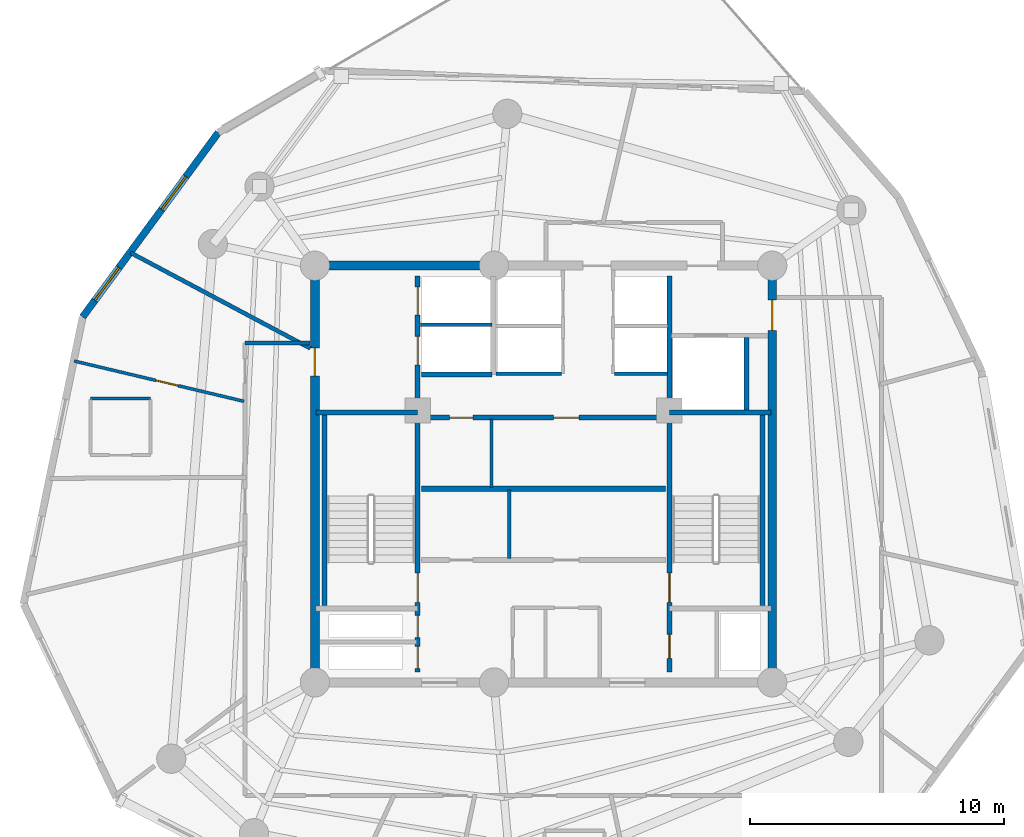
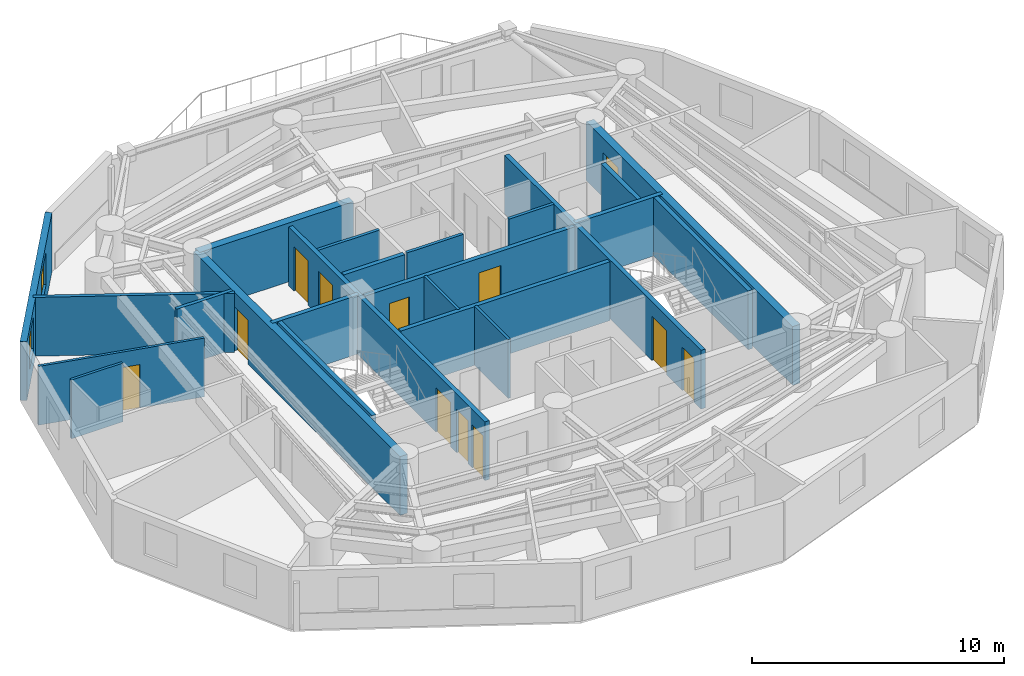
# One storey, part 4 of 8: 23 walls, 12 doors, 2 windows, 14 openings.
"""IFC4 building model written with IfcOpenShell, lengths in metres."""

from ifc_helpers import new_model, si_unit, direction, frame, frame_2d, origin, origin_with_axes, place, context, subcontext, project, spatial, rectangle, extrude, source, transform, mapped, material, layer, layer_set, type_object, element, fill, save


model = new_model("IFC4")

# Units and contexts
model_context = context("Model", 3, precision=1e-05, world=origin(), true_north=direction((0.0, 1.0)))
body_context = subcontext(model_context, "Body", "Model", "MODEL_VIEW")
ifc_project = project(units=[si_unit("LENGTHUNIT", "METRE"), si_unit("AREAUNIT", "SQUARE_METRE"), si_unit("VOLUMEUNIT", "CUBIC_METRE"), si_unit("PLANEANGLEUNIT", "RADIAN"), si_unit("MASSUNIT", "GRAM", prefix="KILO")], contexts=[model_context])

# Site, building, storey
site_placement = place(None, origin())
site = spatial("IfcSite", under=ifc_project, at=site_placement, CompositionType="ELEMENT")
building_placement = place(site_placement, origin())
building = spatial("IfcBuilding", under=site, at=building_placement, Name="Karkom Vertical University and Central Library", CompositionType="ELEMENT")
storey_placement = place(building_placement, frame((0.0, 0.0, 250.449951171875)))
storey = spatial("IfcBuildingStorey", under=building, at=storey_placement, Name="L74", CompositionType="ELEMENT", Elevation=250.449951171875)

# Wall, openings, windows
ifc_material_1 = material(Name="Brick-faced precast concrete C45/55", Category="masonry")
ifc_layer_1 = layer(ifc_material_1, 0.280029296875)
ifc_layer_set_1 = layer_set([ifc_layer_1], Name="Brick-faced precast concrete C45/55")
wall_type_1 = type_object("IfcWallType", Name="ENV-WL-BRK-280", PredefinedType="SOLIDWALL", material=ifc_layer_set_1)
wall_1_placement = place(storey_placement, frame((15.699951171875, 39.941162109375, 0.0), z_axis=(0.0, 0.0, 1.0), x_axis=(-0.592545574552, -0.805536927818, 0.0)))
wall_1 = element("IfcWall", 1, at=wall_1_placement, inside=storey, type_object=wall_type_1, Name="Level 74 Brick-Faced Precast Facade Wall 10", PredefinedType="SOLIDWALL", context=body_context, shape_type="SweptSolid", body=[
    extrude(rectangle(XDim=9.012939453125, YDim=0.280029296875, at=frame_2d((4.50634765625, 0.0))), origin(), (0.0, 0.0, 1.0), 2.85009765625),
])
opening_1_placement = place(wall_1_placement, frame((2.15576171875, 0.0, 0.85009765625)))
opening_1 = element("IfcOpeningElement", 2, at=opening_1_placement, cuts=wall_1, Name="Opening WN-10", PredefinedType="OPENING", context=body_context, shape_type="SweptSolid", body=[
    extrude(rectangle(XDim=1.60009765625, YDim=1.60009765625, at=frame_2d((0.800048828125, 0.800048828125))), frame((0.0, 0.14990234375, 0.0), z_axis=(0.0, -1.0, 0.0), x_axis=(1.0, 0.0, 0.0)), (0.0, 0.0, 1.0), 0.300048828125),
])
opening_2_placement = place(wall_1_placement, frame((6.602294921875, 0.0, 0.85009765625)))
opening_2 = element("IfcOpeningElement", 3, at=opening_2_placement, cuts=wall_1, Name="Opening WN-10", PredefinedType="OPENING", context=body_context, shape_type="SweptSolid", body=[
    extrude(rectangle(XDim=1.60009765625, YDim=1.60009765625, at=frame_2d((0.800048828125, 0.800048828125))), frame((0.0, 0.14990234375, 0.0), z_axis=(0.0, -1.0, 0.0), x_axis=(1.0, 0.0, 0.0)), (0.0, 0.0, 1.0), 0.300048828125),
])
ifc_material_2 = material(Name="Aluminium thermal-break frame with solar-control IGU", Category="aluminium")
window_type = type_object("IfcWindowType", Name="ENV-WIN-WN-10", PartitioningType="SINGLE_PANEL", PredefinedType="WINDOW", material=ifc_material_2)
shared_shape_1 = source(origin_with_axes(), body_context, "Body", "SweptSolid", [
    extrude(rectangle(XDim=1.60009765625, YDim=1.60009765625, at=frame_2d((0.800048828125, 0.800048828125))), frame((0.0, 0.030029296875, 0.0), z_axis=(0.0, -1.0, 0.0), x_axis=(1.0, 0.0, 0.0)), (0.0, 0.0, 1.0), 0.06005859375),
])
window_1_placement = place(opening_1_placement, origin())
window_1 = element("IfcWindow", 4, at=window_1_placement, inside=storey, type_object=window_type, Name="Level 74 Punched Window 10.1", OverallHeight=1.60009765625, OverallWidth=1.60009765625, PartitioningType="SINGLE_PANEL", PredefinedType="WINDOW", context=body_context, shape_type="MappedRepresentation", body=[
    mapped(shared_shape_1, transform((0.0, 0.0, 0.0), scale=1.0)),
])
fill(opening_1, window_1)
window_2_placement = place(opening_2_placement, origin())
window_2 = element("IfcWindow", 5, at=window_2_placement, inside=storey, type_object=window_type, Name="Level 74 Punched Window 10.2", OverallHeight=1.60009765625, OverallWidth=1.60009765625, PartitioningType="SINGLE_PANEL", PredefinedType="WINDOW", context=body_context, shape_type="MappedRepresentation", body=[
    mapped(shared_shape_1, transform((0.0, 0.0, 0.0), scale=1.0)),
])
fill(opening_2, window_2)

# Walls
ifc_material_3 = material(Name="Insulated metal-stud drywall 160mm", Category="gypsum")
ifc_layer_2 = layer(ifc_material_3, 0.159912109375)
ifc_layer_set_2 = layer_set([ifc_layer_2], Name="Insulated metal-stud drywall 160mm")
wall_type_2 = type_object("IfcWallType", Name="INT-WL-COR-160", PredefinedType="PARTITIONING", material=ifc_layer_set_2)
wall_2_placement = place(storey_placement, frame((19.318603515625, 31.44970703125, 0.0), z_axis=(0.0, 0.0, 1.0), x_axis=(-0.882939613172, 0.469486570087, 0.0)))
element("IfcWall", 6, at=wall_2_placement, inside=storey, type_object=wall_type_2, Name="Level 74 Interior Partition Wall L74-PW-012", PredefinedType="PARTITIONING", context=body_context, shape_type="SweptSolid", body=[
    extrude(rectangle(XDim=8.00830078125, YDim=0.159912109375, at=frame_2d((4.004150390625, 0.0))), origin(), (0.0, 0.0, 1.0), 2.85009765625),
])
wall_3_placement = place(storey_placement, frame((16.75, 31.64990234375, 0.0), z_axis=(0.0, 0.0, 1.0), x_axis=(1.0, 0.0, 0.0)))
element("IfcWall", 7, at=wall_3_placement, inside=storey, type_object=wall_type_2, Name="Level 74 Interior Partition Wall L74-CORW-CW-003", PredefinedType="PARTITIONING", context=body_context, shape_type="SweptSolid", body=[
    extrude(rectangle(XDim=2.568115234375, YDim=0.159912109375, at=frame_2d((1.2841796875, 0.0))), origin(), (0.0, 0.0, 1.0), 2.85009765625),
])

# Wall, opening, door
ifc_material_4 = material(Name="Moisture-resistant drywall 120mm", Category="gypsum")
ifc_layer_3 = layer(ifc_material_4, 0.1201171875)
ifc_layer_set_3 = layer_set([ifc_layer_3], Name="Moisture-resistant drywall 120mm")
wall_type_3 = type_object("IfcWallType", Name="INT-WL-INT-120", PredefinedType="PARTITIONING", material=ifc_layer_set_3)
wall_4_placement = place(storey_placement, frame((16.7138671875, 29.36083984375, 0.0), z_axis=(0.0, 0.0, 1.0), x_axis=(-0.972944038436, 0.231040901295, 0.0)))
wall_4 = element("IfcWall", 8, at=wall_4_placement, inside=storey, type_object=wall_type_3, Name="Level 74 Interior Partition Wall L74-APT-11-DIV", PredefinedType="PARTITIONING", context=body_context, shape_type="SweptSolid", body=[
    extrude(rectangle(XDim=6.871826171875, YDim=0.1201171875, at=frame_2d((3.43603515625, 0.0))), origin(), (0.0, 0.0, 1.0), 2.85009765625),
])
opening_3_placement = place(wall_4_placement, frame((2.6708984375, 0.0, 0.0)))
opening_3 = element("IfcOpeningElement", 9, at=opening_3_placement, cuts=wall_4, Name="Opening D-INT1", PredefinedType="OPENING", context=body_context, shape_type="SweptSolid", body=[
    extrude(rectangle(XDim=0.89990234375, YDim=2.10009765625, at=frame_2d((0.449951171875, 1.050048828125))), frame((0.0, 0.070068359375, 0.0), z_axis=(0.0, -1.0, 0.0), x_axis=(1.0, 0.0, 0.0)), (0.0, 0.0, 1.0), 0.14013671875),
])
ifc_material_5 = material(Name="Painted solid-core timber door", Category="wood")
door_type_1 = type_object("IfcDoorType", Name="INT-DR-INT1", OperationType="NOTDEFINED", PredefinedType="DOOR", material=ifc_material_5)
shared_shape_2 = source(origin_with_axes(), body_context, "Body", "SweptSolid", [
    extrude(rectangle(XDim=0.89990234375, YDim=2.10009765625, at=frame_2d((0.449951171875, 1.050048828125))), frame((0.0, 0.02490234375, 0.0), z_axis=(0.0, -1.0, 0.0), x_axis=(1.0, 0.0, 0.0)), (0.0, 0.0, 1.0), 0.050048828125),
])
door_1_placement = place(opening_3_placement, origin())
door_1 = element("IfcDoor", 10, at=door_1_placement, inside=storey, type_object=door_type_1, Name="Level 74 Flat L74-11 Internal Door", OperationType="SINGLE_SWING_LEFT", OverallHeight=2.10009765625, OverallWidth=0.89990234375, PredefinedType="DOOR", context=body_context, shape_type="MappedRepresentation", body=[
    mapped(shared_shape_2, transform((0.0, 0.0, 0.0), scale=1.0)),
])
fill(opening_3, door_1)

# Walls
wall_5_placement = place(storey_placement, frame((27.14990234375, 23.169921875, 0.0), z_axis=(0.0, 0.0, 1.0), x_axis=(0.0, 1.0, 0.0)))
element("IfcWall", 11, at=wall_5_placement, inside=storey, type_object=wall_type_3, Name="Level 74 Interior Partition Wall L74-CW-B1-K2", PredefinedType="PARTITIONING", context=body_context, shape_type="SweptSolid", body=[
    extrude(rectangle(XDim=2.7001953125, YDim=0.1201171875, at=frame_2d((1.35009765625, 0.0))), origin(), (0.0, 0.0, 1.0), 2.85009765625),
])
wall_6_placement = place(storey_placement, frame((26.449951171875, 25.969970703125, 0.0), z_axis=(0.0, 0.0, 1.0), x_axis=(0.0, 1.0, 0.0)))
element("IfcWall", 12, at=wall_6_placement, inside=storey, type_object=wall_type_3, Name="Level 74 Interior Partition Wall L74-CW-B2-K2", PredefinedType="PARTITIONING", context=body_context, shape_type="SweptSolid", body=[
    extrude(rectangle(XDim=2.699951171875, YDim=0.1201171875, at=frame_2d((1.35009765625, 0.0))), origin(), (0.0, 0.0, 1.0), 2.85009765625),
])
ifc_layer_4 = layer(ifc_material_4, 0.1201171875)
ifc_layer_set_4 = layer_set([ifc_layer_4], Name="Moisture-resistant drywall 120mm")
wall_type_4 = type_object("IfcWallType", Name="INT-WL-INT-120F", PredefinedType="PARTITIONING", material=ifc_layer_set_4)
wall_7_placement = place(storey_placement, frame((13.037109375, 29.48095703125, 0.0), z_axis=(0.0, 0.0, 1.0), x_axis=(-1.0, 0.0, 0.0)))
element("IfcWall", 13, at=wall_7_placement, inside=storey, type_object=wall_type_4, Name="Level 74 Interior Partition Wall L74-ENS-50-N", PredefinedType="PARTITIONING", context=body_context, shape_type="SweptSolid", body=[
    extrude(rectangle(XDim=2.360107421875, YDim=0.1201171875, at=frame_2d((1.18017578125, 0.0))), origin(), (0.0, 0.0, 1.0), 2.85009765625),
])
ifc_material_6 = material(Name="Metal-stud gypsum partition 140mm", Category="gypsum")
ifc_layer_5 = layer(ifc_material_6, 0.139892578125)
ifc_layer_set_5 = layer_set([ifc_layer_5], Name="Metal-stud gypsum partition 140mm")
wall_type_5 = type_object("IfcWallType", Name="INT-WL-SUB-140H", PredefinedType="PARTITIONING", material=ifc_layer_set_5)
wall_8_placement = place(storey_placement, frame((26.6201171875, 30.449951171875, 0.0), z_axis=(0.0, 0.0, 1.0), x_axis=(1.0, 0.0, 0.0)))
element("IfcWall", 14, at=wall_8_placement, inside=storey, type_object=wall_type_5, Name="Level 74 Interior Partition Wall L74-CW-PH-S1", PredefinedType="PARTITIONING", context=body_context, shape_type="SweptSolid", body=[
    extrude(rectangle(XDim=2.579833984375, YDim=0.139892578125, at=frame_2d((1.2900390625, 0.0))), origin(), (0.0, 0.0, 1.0), 2.85009765625),
])
wall_9_placement = place(storey_placement, frame((31.300048828125, 30.449951171875, 0.0), z_axis=(0.0, 0.0, 1.0), x_axis=(1.0, 0.0, 0.0)))
element("IfcWall", 15, at=wall_9_placement, inside=storey, type_object=wall_type_5, Name="Level 74 Interior Partition Wall L74-CW-PH-S2", PredefinedType="PARTITIONING", context=body_context, shape_type="SweptSolid", body=[
    extrude(rectangle(XDim=2.074951171875, YDim=0.139892578125, at=frame_2d((1.03759765625, 0.0))), origin(), (0.0, 0.0, 1.0), 2.85009765625),
])
ifc_layer_6 = layer(ifc_material_6, 0.139892578125)
ifc_layer_set_6 = layer_set([ifc_layer_6], Name="Metal-stud gypsum partition 140mm")
wall_type_6 = type_object("IfcWallType", Name="INT-WL-SUB-140X", PredefinedType="PARTITIONING", material=ifc_layer_set_6)
wall_10_placement = place(storey_placement, frame((23.652099609375, 32.3701171875, 0.0), z_axis=(0.0, 0.0, 1.0), x_axis=(1.0, 0.0, 0.0)))
element("IfcWall", 16, at=wall_10_placement, inside=storey, type_object=wall_type_6, Name="Level 74 Interior Partition Wall L74-CW-FFL-M", PredefinedType="PARTITIONING", context=body_context, shape_type="SweptSolid", body=[
    extrude(rectangle(XDim=2.827880859375, YDim=0.139892578125, at=frame_2d((1.4140625, 0.0))), origin(), (0.0, 0.0, 1.0), 2.85009765625),
])

# Wall, opening, door
ifc_material_7 = material(Name="Concrete C45/55", Category="concrete")
ifc_layer_7 = layer(ifc_material_7, 0.35009765625)
ifc_layer_set_7 = layer_set([ifc_layer_7], Name="Concrete C45/55")
wall_type_7 = type_object("IfcWallType", Name="STR-WL-CW-350", PredefinedType="SHEAR", material=ifc_layer_set_7)
wall_11_placement = place(storey_placement, frame((37.5, 18.300048828125, 0.0), z_axis=(0.0, 0.0, 1.0), x_axis=(0.0, 1.0, 0.0)))
wall_11 = element("IfcWall", 17, at=wall_11_placement, inside=storey, type_object=wall_type_7, Name="Level 74 Central Core Shear Wall EW", PredefinedType="SHEAR", context=body_context, shape_type="SweptSolid", body=[
    extrude(rectangle(XDim=16.39990234375, YDim=0.35009765625, at=frame_2d((8.199951171875, 0.0))), origin(), (0.0, 0.0, 1.0), 2.85009765625),
])
opening_4_placement = place(wall_11_placement, frame((13.85009765625, 0.0, 0.0)))
opening_4 = element("IfcOpeningElement", 18, at=opening_4_placement, cuts=wall_11, Name="Opening FD-SUB1", PredefinedType="OPENING", context=body_context, shape_type="SweptSolid", body=[
    extrude(rectangle(XDim=1.199951171875, YDim=2.14990234375, at=frame_2d((0.60009765625, 1.074951171875))), frame((0.0, 0.18505859375, 0.0), z_axis=(0.0, -1.0, 0.0), x_axis=(1.0, 0.0, 0.0)), (0.0, 0.0, 1.0), 0.3701171875),
])
ifc_material_8 = material(Name="Painted steel fire door", Category="steel")
door_type_2 = type_object("IfcDoorType", Name="INT-DR-SUB1", OperationType="NOTDEFINED", PredefinedType="DOOR", material=ifc_material_8)
shared_shape_3 = source(origin_with_axes(), body_context, "Body", "SweptSolid", [
    extrude(rectangle(XDim=1.199951171875, YDim=2.14990234375, at=frame_2d((0.60009765625, 1.074951171875))), frame((0.0, 0.02490234375, 0.0), z_axis=(0.0, -1.0, 0.0), x_axis=(1.0, 0.0, 0.0)), (0.0, 0.0, 1.0), 0.050048828125),
])
door_2_placement = place(opening_4_placement, origin())
door_2 = element("IfcDoor", 19, at=door_2_placement, inside=storey, type_object=door_type_2, Name="Level 74 East Corridor Service Lobby Door", OperationType="SINGLE_SWING_RIGHT", OverallHeight=2.14990234375, OverallWidth=1.199951171875, PredefinedType="DOOR", context=body_context, shape_type="MappedRepresentation", body=[
    mapped(shared_shape_3, transform((0.0, 0.0, 0.0), scale=1.0)),
])
fill(opening_4, door_2)

# Wall
wall_12_placement = place(storey_placement, frame((26.550048828125, 34.699951171875, 0.0), z_axis=(0.0, 0.0, 1.0), x_axis=(-1.0, 0.0, 0.0)))
element("IfcWall", 20, at=wall_12_placement, inside=storey, type_object=wall_type_7, Name="Level 74 Central Core Shear Wall NW2", PredefinedType="SHEAR", context=body_context, shape_type="SweptSolid", body=[
    extrude(rectangle(XDim=7.050048828125, YDim=0.35009765625, at=frame_2d((3.52490234375, 0.0))), origin(), (0.0, 0.0, 1.0), 2.85009765625),
])

# Wall, opening, door
wall_13_placement = place(storey_placement, frame((19.5, 34.699951171875, 0.0), z_axis=(0.0, 0.0, 1.0), x_axis=(0.0, -1.0, 0.0)))
wall_13 = element("IfcWall", 21, at=wall_13_placement, inside=storey, type_object=wall_type_7, Name="Level 74 Central Core Shear Wall WW", PredefinedType="SHEAR", context=body_context, shape_type="SweptSolid", body=[
    extrude(rectangle(XDim=16.39990234375, YDim=0.35009765625, at=frame_2d((8.199951171875, 0.0))), origin(), (0.0, 0.0, 1.0), 2.85009765625),
])
opening_5_placement = place(wall_13_placement, frame((3.239990234375, 0.0, 0.0)))
opening_5 = element("IfcOpeningElement", 22, at=opening_5_placement, cuts=wall_13, Name="Opening FD-FFL", PredefinedType="OPENING", context=body_context, shape_type="SweptSolid", body=[
    extrude(rectangle(XDim=1.10009765625, YDim=2.14990234375, at=frame_2d((0.550048828125, 1.074951171875))), frame((0.0, 0.18505859375, 0.0), z_axis=(0.0, -1.0, 0.0), x_axis=(1.0, 0.0, 0.0)), (0.0, 0.0, 1.0), 0.3701171875),
])
ifc_material_9 = material(Name="Painted steel smoke-seal fire door", Category="steel")
door_type_3 = type_object("IfcDoorType", Name="INT-DR-FFL", OperationType="NOTDEFINED", PredefinedType="DOOR", material=ifc_material_9)
shared_shape_4 = source(origin_with_axes(), body_context, "Body", "SweptSolid", [
    extrude(rectangle(XDim=1.10009765625, YDim=2.14990234375, at=frame_2d((0.550048828125, 1.074951171875))), frame((0.0, 0.02490234375, 0.0), z_axis=(0.0, -1.0, 0.0), x_axis=(1.0, 0.0, 0.0)), (0.0, 0.0, 1.0), 0.050048828125),
])
door_3_placement = place(opening_5_placement, origin())
door_3 = element("IfcDoor", 23, at=door_3_placement, inside=storey, type_object=door_type_3, Name="Level 74 West Corridor Firefighting Lobby Door", OperationType="SINGLE_SWING_LEFT", OverallHeight=2.14990234375, OverallWidth=1.10009765625, PredefinedType="DOOR", context=body_context, shape_type="MappedRepresentation", body=[
    mapped(shared_shape_4, transform((0.0, 0.0, 0.0), scale=1.0)),
])
fill(opening_5, door_3)

# Wall, openings, doors
ifc_layer_8 = layer(ifc_material_7, 0.199951171875)
ifc_layer_set_8 = layer_set([ifc_layer_8], Name="Concrete C45/55")
wall_type_8 = type_object("IfcWallType", Name="STR-WL-ST-200", PredefinedType="SHEAR", material=ifc_layer_set_8)
wall_14_placement = place(storey_placement, frame((23.544921875, 18.699951171875, 0.0), z_axis=(0.0, 0.0, 1.0), x_axis=(0.0, 1.0, 0.0)))
wall_14 = element("IfcWall", 24, at=wall_14_placement, inside=storey, type_object=wall_type_8, Name="Level 74 Core Shaft Wall L74-CW-ST1-E", PredefinedType="SHEAR", context=body_context, shape_type="SweptSolid", body=[
    extrude(rectangle(XDim=15.60009765625, YDim=0.199951171875, at=frame_2d((7.800048828125, 0.0))), origin(), (0.0, 0.0, 1.0), 2.85009765625),
])
opening_6_placement = place(wall_14_placement, frame((2.75, 0.0, 0.0)))
opening_6 = element("IfcOpeningElement", 25, at=opening_6_placement, cuts=wall_14, Name="Opening FD-ST1", PredefinedType="OPENING", context=body_context, shape_type="SweptSolid", body=[
    extrude(rectangle(XDim=1.14990234375, YDim=2.14990234375, at=frame_2d((0.574951171875, 1.074951171875))), frame((0.0, 0.10986328125, 0.0), z_axis=(0.0, -1.0, 0.0), x_axis=(1.0, 0.0, 0.0)), (0.0, 0.0, 1.0), 0.219970703125),
])
opening_7_placement = place(wall_14_placement, frame((0.139892578125, 0.0, 0.0)))
opening_7 = element("IfcOpeningElement", 26, at=opening_7_placement, cuts=wall_14, Name="Opening FD-RIS", PredefinedType="OPENING", context=body_context, shape_type="SweptSolid", body=[
    extrude(rectangle(XDim=0.8798828125, YDim=2.10009765625, at=frame_2d((0.43994140625, 1.050048828125))), frame((0.0, 0.10986328125, 0.0), z_axis=(0.0, -1.0, 0.0), x_axis=(1.0, 0.0, 0.0)), (0.0, 0.0, 1.0), 0.219970703125),
])
opening_8_placement = place(wall_14_placement, frame((1.360107421875, 0.0, 0.0)))
opening_8 = element("IfcOpeningElement", 27, at=opening_8_placement, cuts=wall_14, Name="Opening FD-RIS", PredefinedType="OPENING", context=body_context, shape_type="SweptSolid", body=[
    extrude(rectangle(XDim=0.8798828125, YDim=2.10009765625, at=frame_2d((0.43994140625, 1.050048828125))), frame((0.0, 0.10986328125, 0.0), z_axis=(0.0, -1.0, 0.0), x_axis=(1.0, 0.0, 0.0)), (0.0, 0.0, 1.0), 0.219970703125),
])
opening_9_placement = place(wall_14_placement, frame((12.10009765625, 0.0, 0.0)))
opening_9 = element("IfcOpeningElement", 28, at=opening_9_placement, cuts=wall_14, Name="Opening LD-FFL", PredefinedType="OPENING", context=body_context, shape_type="SweptSolid", body=[
    extrude(rectangle(XDim=1.1201171875, YDim=2.14990234375, at=frame_2d((0.56005859375, 1.074951171875))), frame((0.0, 0.10986328125, 0.0), z_axis=(0.0, -1.0, 0.0), x_axis=(1.0, 0.0, 0.0)), (0.0, 0.0, 1.0), 0.219970703125),
])
opening_10_placement = place(wall_14_placement, frame((14.050048828125, 0.0, 0.0)))
opening_10 = element("IfcOpeningElement", 29, at=opening_10_placement, cuts=wall_14, Name="Opening LD-FFL", PredefinedType="OPENING", context=body_context, shape_type="SweptSolid", body=[
    extrude(rectangle(XDim=1.1201171875, YDim=2.14990234375, at=frame_2d((0.56005859375, 1.074951171875))), frame((0.0, 0.10986328125, 0.0), z_axis=(0.0, -1.0, 0.0), x_axis=(1.0, 0.0, 0.0)), (0.0, 0.0, 1.0), 0.219970703125),
])
ifc_material_10 = material(Name="Painted steel acoustic fire door", Category="steel")
door_type_4 = type_object("IfcDoorType", Name="INT-DR-ST1", OperationType="NOTDEFINED", PredefinedType="DOOR", material=ifc_material_10)
shared_shape_5 = source(origin_with_axes(), body_context, "Body", "SweptSolid", [
    extrude(rectangle(XDim=1.14990234375, YDim=2.14990234375, at=frame_2d((0.574951171875, 1.074951171875))), frame((0.0, 0.02490234375, 0.0), z_axis=(0.0, -1.0, 0.0), x_axis=(1.0, 0.0, 0.0)), (0.0, 0.0, 1.0), 0.050048828125),
])
door_4_placement = place(opening_6_placement, origin())
door_4 = element("IfcDoor", 30, at=door_4_placement, inside=storey, type_object=door_type_4, Name="Level 74 Stair ST-1 Fire Door", OperationType="SINGLE_SWING_LEFT", OverallHeight=2.14990234375, OverallWidth=1.14990234375, PredefinedType="DOOR", context=body_context, shape_type="MappedRepresentation", body=[
    mapped(shared_shape_5, transform((0.0, 0.0, 0.0), scale=1.0)),
])
fill(opening_6, door_4)
ifc_material_11 = material(Name="Painted steel riser access door", Category="steel")
door_type_5 = type_object("IfcDoorType", Name="INT-DR-RIS", OperationType="NOTDEFINED", PredefinedType="DOOR", material=ifc_material_11)
shared_shape_6 = source(origin_with_axes(), body_context, "Body", "SweptSolid", [
    extrude(rectangle(XDim=0.8798828125, YDim=2.10009765625, at=frame_2d((0.43994140625, 1.050048828125))), frame((0.0, 0.02490234375, 0.0), z_axis=(0.0, -1.0, 0.0), x_axis=(1.0, 0.0, 0.0)), (0.0, 0.0, 1.0), 0.050048828125),
])
door_5_placement = place(opening_7_placement, origin())
door_5 = element("IfcDoor", 31, at=door_5_placement, inside=storey, type_object=door_type_5, Name="Level 74 Electrical Riser Access Door", OperationType="SINGLE_SWING_RIGHT", OverallHeight=2.10009765625, OverallWidth=0.8798828125, PredefinedType="DOOR", context=body_context, shape_type="MappedRepresentation", body=[
    mapped(shared_shape_6, transform((0.0, 0.0, 0.0), scale=1.0)),
])
fill(opening_7, door_5)
door_6_placement = place(opening_8_placement, origin())
door_6 = element("IfcDoor", 32, at=door_6_placement, inside=storey, type_object=door_type_5, Name="Level 74 Telecom Riser Access Door", OperationType="SINGLE_SWING_LEFT", OverallHeight=2.10009765625, OverallWidth=0.8798828125, PredefinedType="DOOR", context=body_context, shape_type="MappedRepresentation", body=[
    mapped(shared_shape_6, transform((0.0, 0.0, 0.0), scale=1.0)),
])
fill(opening_8, door_6)
ifc_material_12 = material(Name="Fire-rated stainless-steel landing door", Category="steel")
door_type_6 = type_object("IfcDoorType", Name="INT-DR-LD-FFL", OperationType="SLIDING_TO_LEFT", PredefinedType="DOOR", material=ifc_material_12)
shared_shape_7 = source(origin_with_axes(), body_context, "Body", "SweptSolid", [
    extrude(rectangle(XDim=1.1201171875, YDim=2.14990234375, at=frame_2d((0.56005859375, 1.074951171875))), frame((0.0, 0.02490234375, 0.0), z_axis=(0.0, -1.0, 0.0), x_axis=(1.0, 0.0, 0.0)), (0.0, 0.0, 1.0), 0.050048828125),
])
door_7_placement = place(opening_9_placement, origin())
door_7 = element("IfcDoor", 33, at=door_7_placement, inside=storey, type_object=door_type_6, Name="Level 74 Firefighting Lift FFL-1 Landing Door", OperationType="SLIDING_TO_LEFT", OverallHeight=2.14990234375, OverallWidth=1.1201171875, PredefinedType="DOOR", context=body_context, shape_type="MappedRepresentation", body=[
    mapped(shared_shape_7, transform((0.0, 0.0, 0.0), scale=1.0)),
])
fill(opening_9, door_7)
door_8_placement = place(opening_10_placement, origin())
door_8 = element("IfcDoor", 34, at=door_8_placement, inside=storey, type_object=door_type_6, Name="Level 74 Firefighting Lift FFL-2 Landing Door", OperationType="SLIDING_TO_RIGHT", OverallHeight=2.14990234375, OverallWidth=1.1201171875, PredefinedType="DOOR", context=body_context, shape_type="MappedRepresentation", body=[
    mapped(shared_shape_7, transform((0.0, 0.0, 0.0), scale=1.0)),
])
fill(opening_10, door_8)

wall_15_placement = place(storey_placement, frame((33.455078125, 18.699951171875, 0.0), z_axis=(0.0, 0.0, 1.0), x_axis=(0.0, 1.0, 0.0)))
wall_15 = element("IfcWall", 35, at=wall_15_placement, inside=storey, type_object=wall_type_8, Name="Level 74 Core Shaft Wall L74-CW-ST2-W", PredefinedType="SHEAR", context=body_context, shape_type="SweptSolid", body=[
    extrude(rectangle(XDim=15.60009765625, YDim=0.199951171875, at=frame_2d((7.800048828125, 0.0))), origin(), (0.0, 0.0, 1.0), 2.85009765625),
])
opening_11_placement = place(wall_15_placement, frame((2.75, 0.0, 0.0)))
opening_11 = element("IfcOpeningElement", 36, at=opening_11_placement, cuts=wall_15, Name="Opening FD-ST1", PredefinedType="OPENING", context=body_context, shape_type="SweptSolid", body=[
    extrude(rectangle(XDim=1.14990234375, YDim=2.14990234375, at=frame_2d((0.574951171875, 1.074951171875))), frame((0.0, 0.10986328125, 0.0), z_axis=(0.0, -1.0, 0.0), x_axis=(1.0, 0.0, 0.0)), (0.0, 0.0, 1.0), 0.219970703125),
])
opening_12_placement = place(wall_15_placement, frame((0.550048828125, 0.0, 0.0)))
opening_12 = element("IfcOpeningElement", 37, at=opening_12_placement, cuts=wall_15, Name="Opening D-WC1", PredefinedType="OPENING", context=body_context, shape_type="SweptSolid", body=[
    extrude(rectangle(XDim=0.93994140625, YDim=2.10009765625, at=frame_2d((0.469970703125, 1.050048828125))), frame((0.0, 0.10986328125, 0.0), z_axis=(0.0, -1.0, 0.0), x_axis=(1.0, 0.0, 0.0)), (0.0, 0.0, 1.0), 0.219970703125),
])
door_9_placement = place(opening_11_placement, origin())
door_9 = element("IfcDoor", 38, at=door_9_placement, inside=storey, type_object=door_type_4, Name="Level 74 Stair ST-2 Fire Door", OperationType="SINGLE_SWING_RIGHT", OverallHeight=2.14990234375, OverallWidth=1.14990234375, PredefinedType="DOOR", context=body_context, shape_type="MappedRepresentation", body=[
    mapped(shared_shape_5, transform((0.0, 0.0, 0.0), scale=1.0)),
])
fill(opening_11, door_9)
ifc_material_13 = material(Name="Fire-rated laminate moisture-resistant door", Category="wood")
door_type_7 = type_object("IfcDoorType", Name="INT-DR-WC1", OperationType="NOTDEFINED", PredefinedType="DOOR", material=ifc_material_13)
shared_shape_8 = source(origin_with_axes(), body_context, "Body", "SweptSolid", [
    extrude(rectangle(XDim=0.93994140625, YDim=2.10009765625, at=frame_2d((0.469970703125, 1.050048828125))), frame((0.0, 0.02490234375, 0.0), z_axis=(0.0, -1.0, 0.0), x_axis=(1.0, 0.0, 0.0)), (0.0, 0.0, 1.0), 0.050048828125),
])
door_10_placement = place(opening_12_placement, origin())
door_10 = element("IfcDoor", 39, at=door_10_placement, inside=storey, type_object=door_type_7, Name="Level 74 Accessible WC Door", OperationType="SINGLE_SWING_RIGHT", OverallHeight=2.10009765625, OverallWidth=0.93994140625, PredefinedType="DOOR", context=body_context, shape_type="MappedRepresentation", body=[
    mapped(shared_shape_8, transform((0.0, 0.0, 0.0), scale=1.0)),
])
fill(opening_12, door_10)

# Wall
wall_16_placement = place(storey_placement, frame((23.699951171875, 25.919921875, 0.0), z_axis=(0.0, 0.0, 1.0), x_axis=(1.0, 0.0, 0.0)))
element("IfcWall", 40, at=wall_16_placement, inside=storey, type_object=wall_type_8, Name="Level 74 Core Shaft Wall L74-CW-B1-N", PredefinedType="SHEAR", context=body_context, shape_type="SweptSolid", body=[
    extrude(rectangle(XDim=9.60009765625, YDim=0.199951171875, at=frame_2d((4.800048828125, 0.0))), origin(), (0.0, 0.0, 1.0), 2.85009765625),
])

# Wall, openings, doors
wall_17_placement = place(storey_placement, frame((23.699951171875, 28.719970703125, 0.0), z_axis=(0.0, 0.0, 1.0), x_axis=(1.0, 0.0, 0.0)))
wall_17 = element("IfcWall", 41, at=wall_17_placement, inside=storey, type_object=wall_type_8, Name="Level 74 Core Shaft Wall L74-CW-B2-N", PredefinedType="SHEAR", context=body_context, shape_type="SweptSolid", body=[
    extrude(rectangle(XDim=9.60009765625, YDim=0.199951171875, at=frame_2d((4.800048828125, 0.0))), origin(), (0.0, 0.0, 1.0), 2.85009765625),
])
opening_13_placement = place(wall_17_placement, frame((1.10009765625, 0.0, 0.0)))
opening_13 = element("IfcOpeningElement", 42, at=opening_13_placement, cuts=wall_17, Name="Opening D-SVC1", PredefinedType="OPENING", context=body_context, shape_type="SweptSolid", body=[
    extrude(rectangle(XDim=0.919921875, YDim=2.10009765625, at=frame_2d((0.4599609375, 1.050048828125))), frame((0.0, 0.10986328125, 0.0), z_axis=(0.0, -1.0, 0.0), x_axis=(1.0, 0.0, 0.0)), (0.0, 0.0, 1.0), 0.219970703125),
])
opening_14_placement = place(wall_17_placement, frame((5.199951171875, 0.0, 0.0)))
opening_14 = element("IfcOpeningElement", 43, at=opening_14_placement, cuts=wall_17, Name="Opening D-STR1", PredefinedType="OPENING", context=body_context, shape_type="SweptSolid", body=[
    extrude(rectangle(XDim=1.0, YDim=2.14990234375, at=frame_2d((0.5, 1.074951171875))), frame((0.0, 0.10986328125, 0.0), z_axis=(0.0, -1.0, 0.0), x_axis=(1.0, 0.0, 0.0)), (0.0, 0.0, 1.0), 0.219970703125),
])
ifc_material_14 = material(Name="Painted timber service door", Category="wood")
door_type_8 = type_object("IfcDoorType", Name="INT-DR-SVC1", OperationType="NOTDEFINED", PredefinedType="DOOR", material=ifc_material_14)
shared_shape_9 = source(origin_with_axes(), body_context, "Body", "SweptSolid", [
    extrude(rectangle(XDim=0.919921875, YDim=2.10009765625, at=frame_2d((0.4599609375, 1.050048828125))), frame((0.0, 0.02490234375, 0.0), z_axis=(0.0, -1.0, 0.0), x_axis=(1.0, 0.0, 0.0)), (0.0, 0.0, 1.0), 0.050048828125),
])
door_11_placement = place(opening_13_placement, origin())
door_11 = element("IfcDoor", 44, at=door_11_placement, inside=storey, type_object=door_type_8, Name="Level 74 B2 West Store Door", OperationType="SINGLE_SWING_LEFT", OverallHeight=2.10009765625, OverallWidth=0.919921875, PredefinedType="DOOR", context=body_context, shape_type="MappedRepresentation", body=[
    mapped(shared_shape_9, transform((0.0, 0.0, 0.0), scale=1.0)),
])
fill(opening_13, door_11)
ifc_material_15 = material(Name="Solid-core hardwood fire door", Category="wood")
door_type_9 = type_object("IfcDoorType", Name="INT-DR-STR1", OperationType="NOTDEFINED", PredefinedType="DOOR", material=ifc_material_15)
shared_shape_10 = source(origin_with_axes(), body_context, "Body", "SweptSolid", [
    extrude(rectangle(XDim=1.0, YDim=2.14990234375, at=frame_2d((0.5, 1.074951171875))), frame((0.0, 0.02490234375, 0.0), z_axis=(0.0, -1.0, 0.0), x_axis=(1.0, 0.0, 0.0)), (0.0, 0.0, 1.0), 0.050048828125),
])
door_12_placement = place(opening_14_placement, origin())
door_12 = element("IfcDoor", 45, at=door_12_placement, inside=storey, type_object=door_type_9, Name="Level 74 B2 East Plant Door", OperationType="SINGLE_SWING_RIGHT", OverallHeight=2.14990234375, OverallWidth=1.0, PredefinedType="DOOR", context=body_context, shape_type="MappedRepresentation", body=[
    mapped(shared_shape_10, transform((0.0, 0.0, 0.0), scale=1.0)),
])
fill(opening_14, door_12)

# Walls
for number, where, z_axis, x_axis, name in (
    (46, (19.875, 21.320068359375, 0.0), (0.0, 0.0, 1.0), (0.0, 1.0, 0.0), "Level 74 Core Shaft Wall L74-CW-ST1-W"),
    (47, (37.125, 21.320068359375, 0.0), (0.0, 0.0, 1.0), (0.0, 1.0, 0.0), "Level 74 Core Shaft Wall L74-CW-ST2-E"),
):
    element("IfcWall", number, at=place(storey_placement, frame(where, z_axis=z_axis, x_axis=x_axis)), inside=storey, type_object=wall_type_8, Name=name, PredefinedType="SHEAR", context=body_context, shape_type="SweptSolid", body=[
        extrude(rectangle(XDim=7.5, YDim=0.199951171875, at=frame_2d((3.75, 0.0))), origin(), (0.0, 0.0, 1.0), 2.85009765625),
    ])
for number, where, z_axis, x_axis, name in (
    (48, (33.455078125, 28.925048828125, 0.0), (0.0, 0.0, 1.0), (1.0, 0.0, 0.0), "Level 74 Core Shaft Wall L74-CW-ST2-N"),
    (49, (19.550048828125, 28.925048828125, 0.0), (0.0, 0.0, 1.0), (1.0, 0.0, 0.0), "Level 74 Core Shaft Wall L74-CW-ST1-N"),
):
    element("IfcWall", number, at=place(storey_placement, frame(where, z_axis=z_axis, x_axis=x_axis)), inside=storey, type_object=wall_type_8, Name=name, PredefinedType="SHEAR", context=body_context, shape_type="SweptSolid", body=[
        extrude(rectangle(XDim=3.994873046875, YDim=0.199951171875, at=frame_2d((1.99755859375, 0.0))), origin(), (0.0, 0.0, 1.0), 2.85009765625),
    ])
wall_18_placement = place(storey_placement, frame((36.47998046875, 29.02001953125, 0.0), z_axis=(0.0, 0.0, 1.0), x_axis=(0.0, 1.0, 0.0)))
element("IfcWall", 50, at=wall_18_placement, inside=storey, type_object=wall_type_8, Name="Level 74 Core Shaft Wall L74-CW-SVL-E", PredefinedType="SHEAR", context=body_context, shape_type="SweptSolid", body=[
    extrude(rectangle(XDim=2.85986328125, YDim=0.199951171875, at=frame_2d((1.429931640625, 0.0))), origin(), (0.0, 0.0, 1.0), 2.85009765625),
])
wall_19_placement = place(storey_placement, frame((23.699951171875, 30.419921875, 0.0), z_axis=(0.0, 0.0, 1.0), x_axis=(1.0, 0.0, 0.0)))
element("IfcWall", 51, at=wall_19_placement, inside=storey, type_object=wall_type_8, Name="Level 74 Core Shaft Wall L74-CW-FFL-S", PredefinedType="SHEAR", context=body_context, shape_type="SweptSolid", body=[
    extrude(rectangle(XDim=2.780029296875, YDim=0.199951171875, at=frame_2d((1.39013671875, 0.0))), origin(), (0.0, 0.0, 1.0), 2.85009765625),
])

save(model, "model.ifc")
